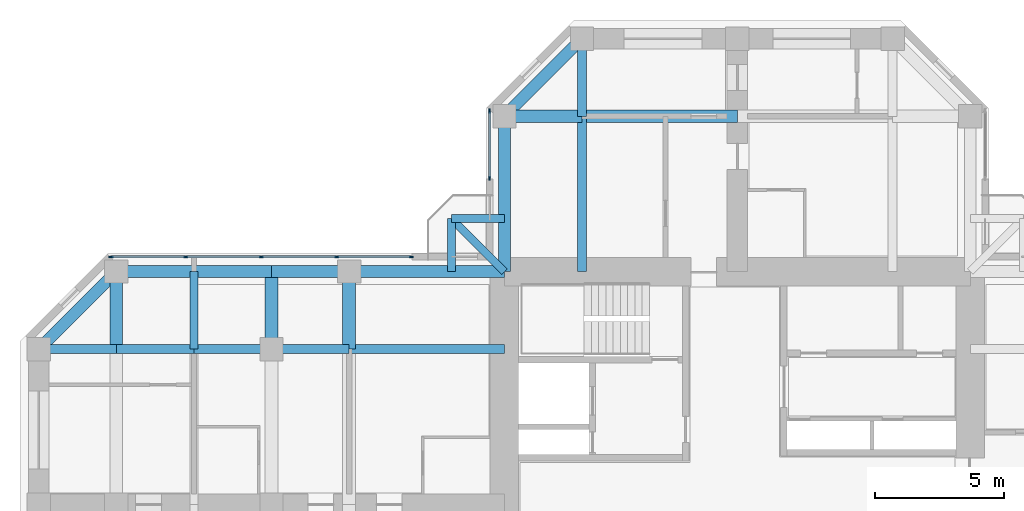
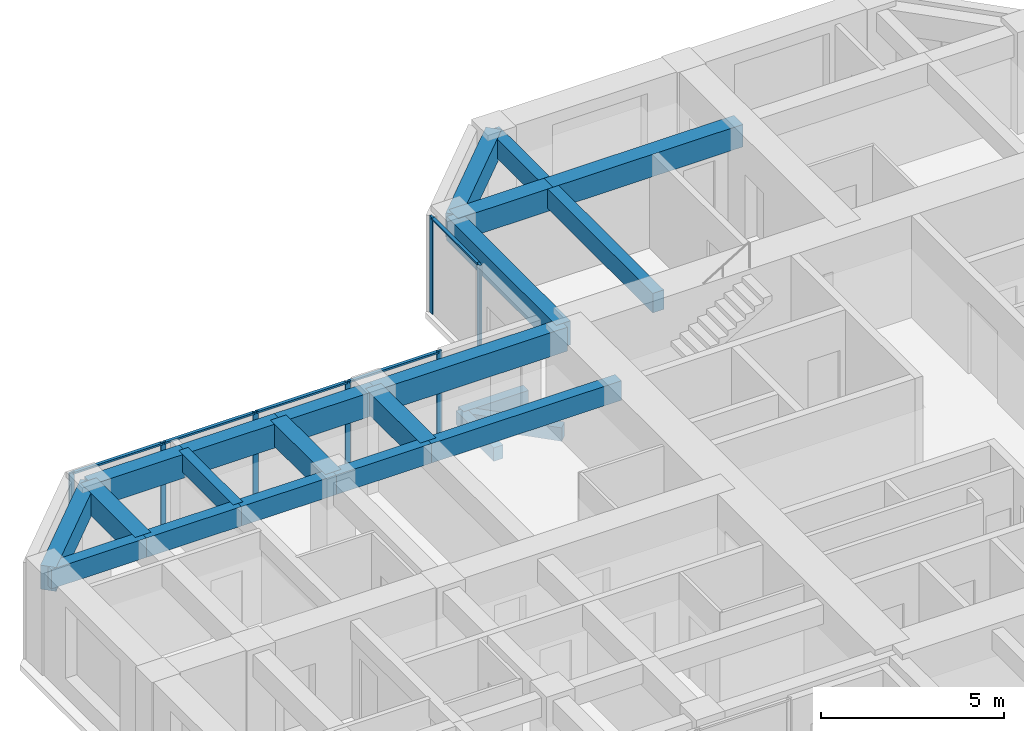
# One storey, part 5 of 13: 23 beams, 12 members, 2 elements without a shape of their own.
"""IFC4 building model written with IfcOpenShell, lengths in metres."""

from ifc_helpers import new_model, si_unit, direction, frame, origin, origin_2d, place, context, subcontext, project, spatial, rectangle, extrude, material, material_profile, profile_set, type_object, element, aggregate, save


model = new_model("IFC4")

# Units and contexts
model_context = context("Model", 3, precision=1e-05, world=origin(), true_north=direction((0.0, 1.0)))
body_context = subcontext(model_context, "Body", "Model", "MODEL_VIEW")
ifc_project = project(units=[si_unit("LENGTHUNIT", "METRE"), si_unit("AREAUNIT", "SQUARE_METRE"), si_unit("VOLUMEUNIT", "CUBIC_METRE"), si_unit("PLANEANGLEUNIT", "RADIAN"), si_unit("MASSUNIT", "GRAM", prefix="KILO")], contexts=[model_context])

# Site, building, storey
site_placement = place(None, origin())
site = spatial("IfcSite", under=ifc_project, at=site_placement, CompositionType="ELEMENT")
building_placement = place(site_placement, origin())
building = spatial("IfcBuilding", under=site, at=building_placement, Name="Torre Cruceta", CompositionType="ELEMENT")
storey_placement = place(building_placement, frame((0.0, 0.0, 189.89990234375)))
storey = spatial("IfcBuildingStorey", under=building, at=storey_placement, Name="L47", CompositionType="ELEMENT", Elevation=189.89990234375)

# Beams
ifc_material_1 = material(Name="Concrete G60 (fck 60 MPa)", Category="concrete")
ifc_material_profile_1 = material_profile(ifc_material_1, rectangle(XDim=0.300048828125, YDim=0.449951171875, at=origin_2d()), Name="RC 300X450")
ifc_profile_set_1 = profile_set([ifc_material_profile_1], Name="Concrete G60 (fck 60 MPa)")
beam_type_1 = type_object("IfcBeamType", Name="BALCONY CANTILEVER BEAM RC 300X450", PredefinedType="BEAM", material=ifc_profile_set_1)
beam_1_placement = place(storey_placement, frame((-9.0, 9.0, -0.40478515625), z_axis=(-0.707106781187, 0.707106781187, 0.0), x_axis=(-0.707106781187, -0.707106781187, 0.0)))
element("IfcBeam", 1, at=beam_1_placement, inside=storey, type_object=beam_type_1, Name="BB1 balcony beam L47 N", PredefinedType="BEAM", context=body_context, shape_type="SweptSolid", body=[
    extrude(rectangle(XDim=0.300048828125, YDim=0.449951171875, at=origin_2d()), origin(), (0.0, 0.0, 1.0), 2.89990234375),
])
for number, where, z_axis, x_axis, name in (
    (2, (-11.050537109375, 9.0, -0.40478515625), (0.0, 1.0, 0.0), (-1.0, 0.0, 0.0), "BB1 balcony edge beam L47 N-X"),
    (3, (-9.0, 11.050537109375, -0.40478515625), (-1.0, 0.0, 0.0), (0.0, -1.0, 0.0), "BB1 balcony edge beam L47 N-Y"),
):
    element("IfcBeam", number, at=place(storey_placement, frame(where, z_axis=z_axis, x_axis=x_axis)), inside=storey, type_object=beam_type_1, Name=name, PredefinedType="BEAM", context=body_context, shape_type="SweptSolid", body=[
        extrude(rectangle(XDim=0.300048828125, YDim=0.449951171875, at=origin_2d()), origin(), (0.0, 0.0, 1.0), 2.050537109375),
    ])
ifc_material_2 = material(Name="Concrete G60 (fck 60 MPa)", Category="concrete")
ifc_material_profile_2 = material_profile(ifc_material_2, rectangle(XDim=0.35009765625, YDim=0.64990234375, at=origin_2d()), Name="RC 350X650")
ifc_profile_set_2 = profile_set([ifc_material_profile_2], Name="Concrete G60 (fck 60 MPa)")
beam_type_2 = type_object("IfcBeamType", Name="COLUMN LINE BEAM RC 350X650", PredefinedType="BEAM", material=ifc_profile_set_2)
beam_2_placement = place(storey_placement, frame((-6.0, 9.0, 2.89501953125), z_axis=(0.0, 1.0, 0.0), x_axis=(-1.0, 0.0, 0.0)))
element("IfcBeam", 4, at=beam_2_placement, inside=storey, type_object=beam_type_2, Name="LB7 L47 N col+ 1", PredefinedType="BEAM", context=body_context, shape_type="SweptSolid", body=[
    extrude(rectangle(XDim=0.35009765625, YDim=0.64990234375, at=origin_2d()), origin(), (0.0, 0.0, 1.0), 6.0),
])
beam_3_placement = place(storey_placement, frame((-6.0, 15.0, 2.89501953125), z_axis=(0.0, 1.0, 0.0), x_axis=(-1.0, 0.0, 0.0)))
element("IfcBeam", 5, at=beam_3_placement, inside=storey, type_object=beam_type_2, Name="LB7 L47 N col+ 2", PredefinedType="BEAM", context=body_context, shape_type="SweptSolid", body=[
    extrude(rectangle(XDim=0.35009765625, YDim=0.64990234375, at=origin_2d()), origin(), (0.0, 0.0, 1.0), 3.0),
])
beam_4_placement = place(storey_placement, frame((-9.0, 6.0, 2.89501953125), z_axis=(-1.0, 0.0, 0.0), x_axis=(0.0, -1.0, 0.0)))
element("IfcBeam", 6, at=beam_4_placement, inside=storey, type_object=beam_type_2, Name="LB7 L47 W col- 1", PredefinedType="BEAM", context=body_context, shape_type="SweptSolid", body=[
    extrude(rectangle(XDim=0.35009765625, YDim=0.64990234375, at=origin_2d()), origin(), (0.0, 0.0, 1.0), 6.0),
])
for number, where, z_axis, x_axis, name in (
    (7, (-15.0, 6.0, 2.89501953125), (-1.0, 0.0, 0.0), (0.0, -1.0, 0.0), "LB7 L47 W col- 2"),
    (8, (-18.0, 6.0, 2.89501953125), (-1.0, 0.0, 0.0), (0.0, -1.0, 0.0), "LB7 L47 W col- 3"),
    (9, (-21.0, 6.0, 2.89501953125), (-1.0, 0.0, 0.0), (0.0, -1.0, 0.0), "LB7 L47 W col- 4"),
    (10, (-24.0, 6.0, 2.89501953125), (-1.0, 0.0, 0.0), (0.0, -1.0, 0.0), "LB7 L47 W col- 5"),
):
    element("IfcBeam", number, at=place(storey_placement, frame(where, z_axis=z_axis, x_axis=x_axis)), inside=storey, type_object=beam_type_2, Name=name, PredefinedType="BEAM", context=body_context, shape_type="SweptSolid", body=[
        extrude(rectangle(XDim=0.35009765625, YDim=0.64990234375, at=origin_2d()), origin(), (0.0, 0.0, 1.0), 3.0),
    ])
ifc_material_3 = material(Name="Concrete G60 (fck 60 MPa)", Category="concrete")
ifc_material_profile_3 = material_profile(ifc_material_3, rectangle(XDim=0.5, YDim=0.75, at=origin_2d()), Name="RC 500X750")
ifc_profile_set_3 = profile_set([ifc_material_profile_3], Name="Concrete G60 (fck 60 MPa)")
beam_type_3 = type_object("IfcBeamType", Name="CROSS BEAM RC 500X750", PredefinedType="BEAM", material=ifc_profile_set_3)
beam_5_placement = place(storey_placement, frame((0.0, 15.0, 2.84521484375), z_axis=(-1.0, 0.0, 0.0), x_axis=(0.0, -1.0, 0.0)))
element("IfcBeam", 11, at=beam_5_placement, inside=storey, type_object=beam_type_3, Name="GB6 L47 N cross15 3", PredefinedType="BEAM", context=body_context, shape_type="SweptSolid", body=[
    extrude(rectangle(XDim=0.5, YDim=0.75, at=origin_2d()), origin(), (0.0, 0.0, 1.0), 6.0),
])
for number, where, z_axis, x_axis, name in (
    (12, (-6.0, 15.0, 2.84521484375), (-1.0, 0.0, 0.0), (0.0, -1.0, 0.0), "GB6 L47 N cross15 4"),
    (13, (-15.0, 9.0, 2.84521484375), (0.0, -1.0, 0.0), (1.0, 0.0, 0.0), "GB6 L47 W cross15 1"),
    (14, (-18.0, 9.0, 2.84521484375), (0.0, -1.0, 0.0), (1.0, 0.0, 0.0), "GB6 L47 W cross18 1"),
    (15, (-24.0, 9.0, 2.84521484375), (0.0, -1.0, 0.0), (1.0, 0.0, 0.0), "GB6 L47 W cross24 1"),
):
    element("IfcBeam", number, at=place(storey_placement, frame(where, z_axis=z_axis, x_axis=x_axis)), inside=storey, type_object=beam_type_3, Name=name, PredefinedType="BEAM", context=body_context, shape_type="SweptSolid", body=[
        extrude(rectangle(XDim=0.5, YDim=0.75, at=origin_2d()), origin(), (0.0, 0.0, 1.0), 3.0),
    ])

# Curtain wall, members
ifc_material_4 = material(Name="Aluminium unitised curtain wall", Category="aluminium")
curtain_wall_type = type_object("IfcCurtainWallType", Name="CURTAIN WALL CW-C CO-LIVING", PredefinedType="USERDEFINED", material=ifc_material_4)
curtain_wall_1_placement = place(storey_placement, origin())
curtain_wall_1 = element("IfcCurtainWall", 16, at=curtain_wall_1_placement, inside=storey, type_object=curtain_wall_type, Name="CW-C L47 N side 09", ObjectType="UNITISED", PredefinedType="USERDEFINED")
ifc_material_5 = material(Name="Aluminium mullion", Category="aluminium")
ifc_material_profile_4 = material_profile(ifc_material_5, rectangle(XDim=0.06005859375, YDim=0.159912109375, at=origin_2d()), Name="AL 60X160")
ifc_profile_set_4 = profile_set([ifc_material_profile_4], Name="Aluminium mullion")
member_type_1 = type_object("IfcMemberType", Name="CW-C MULLION 60X160", PredefinedType="MULLION", material=ifc_profile_set_4)
member_1_placement = place(storey_placement, frame((-9.570068359375, 15.2060546875, 0.0), z_axis=(0.0, 0.0, 1.0), x_axis=(1.0, 0.0, 0.0)))
member_1 = element("IfcMember", 17, at=member_1_placement, type_object=member_type_1, Name="CW-C mullion 1", PredefinedType="MULLION", context=body_context, shape_type="SweptSolid", body=[
    extrude(rectangle(XDim=0.06005859375, YDim=0.159912109375, at=origin_2d()), origin(), (0.0, 0.0, 1.0), 3.22021484375),
])
member_2_placement = place(storey_placement, frame((-9.570068359375, 12.60009765625, 0.0), z_axis=(0.0, 0.0, 1.0), x_axis=(1.0, 0.0, 0.0)))
member_2 = element("IfcMember", 18, at=member_2_placement, type_object=member_type_1, Name="CW-C mullion 2", PredefinedType="MULLION", context=body_context, shape_type="SweptSolid", body=[
    extrude(rectangle(XDim=0.06005859375, YDim=0.159912109375, at=origin_2d()), origin(), (0.0, 0.0, 1.0), 3.22021484375),
])

curtain_wall_2_placement = place(storey_placement, origin())
curtain_wall_2 = element("IfcCurtainWall", 19, at=curtain_wall_2_placement, inside=storey, type_object=curtain_wall_type, Name="CW-C L47 W side 10", ObjectType="UNITISED", PredefinedType="USERDEFINED")
member_3_placement = place(storey_placement, frame((-12.60009765625, 9.570068359375, 0.0), z_axis=(0.0, 0.0, 1.0), x_axis=(0.0, -1.0, 0.0)))
member_3 = element("IfcMember", 20, at=member_3_placement, type_object=member_type_1, Name="CW-C mullion 1", PredefinedType="MULLION", context=body_context, shape_type="SweptSolid", body=[
    extrude(rectangle(XDim=0.06005859375, YDim=0.159912109375, at=origin_2d()), origin(), (0.0, 0.0, 1.0), 3.22021484375),
])
member_4_placement = place(storey_placement, frame((-15.486572265625, 9.570068359375, 0.0), z_axis=(0.0, 0.0, 1.0), x_axis=(0.0, -1.0, 0.0)))
member_4 = element("IfcMember", 21, at=member_4_placement, type_object=member_type_1, Name="CW-C mullion 2", PredefinedType="MULLION", context=body_context, shape_type="SweptSolid", body=[
    extrude(rectangle(XDim=0.06005859375, YDim=0.159912109375, at=origin_2d()), origin(), (0.0, 0.0, 1.0), 3.22021484375),
])
member_5_placement = place(storey_placement, frame((-18.403076171875, 9.570068359375, 0.0), z_axis=(0.0, 0.0, 1.0), x_axis=(0.0, -1.0, 0.0)))
member_5 = element("IfcMember", 22, at=member_5_placement, type_object=member_type_1, Name="CW-C mullion 3", PredefinedType="MULLION", context=body_context, shape_type="SweptSolid", body=[
    extrude(rectangle(XDim=0.06005859375, YDim=0.159912109375, at=origin_2d()), origin(), (0.0, 0.0, 1.0), 3.22021484375),
])
member_6_placement = place(storey_placement, frame((-21.319580078125, 9.570068359375, 0.0), z_axis=(0.0, 0.0, 1.0), x_axis=(0.0, -1.0, 0.0)))
member_6 = element("IfcMember", 23, at=member_6_placement, type_object=member_type_1, Name="CW-C mullion 4", PredefinedType="MULLION", context=body_context, shape_type="SweptSolid", body=[
    extrude(rectangle(XDim=0.06005859375, YDim=0.159912109375, at=origin_2d()), origin(), (0.0, 0.0, 1.0), 3.22021484375),
])
member_7_placement = place(storey_placement, frame((-24.2060546875, 9.570068359375, 0.0), z_axis=(0.0, 0.0, 1.0), x_axis=(0.0, -1.0, 0.0)))
member_7 = element("IfcMember", 24, at=member_7_placement, type_object=member_type_1, Name="CW-C mullion 5", PredefinedType="MULLION", context=body_context, shape_type="SweptSolid", body=[
    extrude(rectangle(XDim=0.06005859375, YDim=0.159912109375, at=origin_2d()), origin(), (0.0, 0.0, 1.0), 3.22021484375),
])

# Member
ifc_material_6 = material(Name="Aluminium transom", Category="aluminium")
ifc_material_profile_5 = material_profile(ifc_material_6, rectangle(XDim=0.10009765625, YDim=0.06005859375, at=origin_2d()), Name="AL 100X60")
ifc_profile_set_5 = profile_set([ifc_material_profile_5], Name="Aluminium transom")
member_type_2 = type_object("IfcMemberType", Name="CW-C TRANSOM 60X100", PredefinedType="USERDEFINED", material=ifc_profile_set_5)
member_8_placement = place(storey_placement, frame((-9.570068359375, 15.176025390625, 3.190185546875), z_axis=(0.0, -1.0, 0.0), x_axis=(1.0, 0.0, 0.0)))
member_8 = element("IfcMember", 25, at=member_8_placement, type_object=member_type_2, Name="CW-C transom 1", ObjectType="TRANSOM", PredefinedType="USERDEFINED", context=body_context, shape_type="SweptSolid", body=[
    extrude(rectangle(XDim=0.10009765625, YDim=0.06005859375, at=origin_2d()), origin(), (0.0, 0.0, 1.0), 2.546142578125),
])

aggregate(curtain_wall_1, [member_1, member_2, member_8])

member_9_placement = place(storey_placement, frame((-12.6298828125, 9.570068359375, 3.190185546875), z_axis=(-1.0, 0.0, 0.0), x_axis=(0.0, -1.0, 0.0)))
member_9 = element("IfcMember", 26, at=member_9_placement, type_object=member_type_2, Name="CW-C transom 1", ObjectType="TRANSOM", PredefinedType="USERDEFINED", context=body_context, shape_type="SweptSolid", body=[
    extrude(rectangle(XDim=0.10009765625, YDim=0.06005859375, at=origin_2d()), origin(), (0.0, 0.0, 1.0), 2.82666015625),
])

member_10_placement = place(storey_placement, frame((-15.5166015625, 9.570068359375, 3.190185546875), z_axis=(-1.0, 0.0, 0.0), x_axis=(0.0, -1.0, 0.0)))
member_10 = element("IfcMember", 27, at=member_10_placement, type_object=member_type_2, Name="CW-C transom 2", ObjectType="TRANSOM", PredefinedType="USERDEFINED", context=body_context, shape_type="SweptSolid", body=[
    extrude(rectangle(XDim=0.10009765625, YDim=0.06005859375, at=origin_2d()), origin(), (0.0, 0.0, 1.0), 2.8564453125),
])

member_11_placement = place(storey_placement, frame((-18.43310546875, 9.570068359375, 3.190185546875), z_axis=(-1.0, 0.0, 0.0), x_axis=(0.0, -1.0, 0.0)))
member_11 = element("IfcMember", 28, at=member_11_placement, type_object=member_type_2, Name="CW-C transom 3", ObjectType="TRANSOM", PredefinedType="USERDEFINED", context=body_context, shape_type="SweptSolid", body=[
    extrude(rectangle(XDim=0.10009765625, YDim=0.06005859375, at=origin_2d()), origin(), (0.0, 0.0, 1.0), 2.8564453125),
])

member_12_placement = place(storey_placement, frame((-21.349609375, 9.570068359375, 3.190185546875), z_axis=(-1.0, 0.0, 0.0), x_axis=(0.0, -1.0, 0.0)))
member_12 = element("IfcMember", 29, at=member_12_placement, type_object=member_type_2, Name="CW-C transom 4", ObjectType="TRANSOM", PredefinedType="USERDEFINED", context=body_context, shape_type="SweptSolid", body=[
    extrude(rectangle(XDim=0.10009765625, YDim=0.06005859375, at=origin_2d()), origin(), (0.0, 0.0, 1.0), 2.826416015625),
])

aggregate(curtain_wall_2, [member_3, member_4, member_5, member_6, member_7, member_9, member_10, member_11, member_12])

# Beams
ifc_material_7 = material(Name="Concrete G60 (fck 60 MPa)", Category="concrete")
ifc_material_profile_6 = material_profile(ifc_material_7, rectangle(XDim=0.300048828125, YDim=0.60009765625, at=origin_2d()), Name="RC 300X600")
ifc_profile_set_6 = profile_set([ifc_material_profile_6], Name="Concrete G60 (fck 60 MPa)")
beam_type_4 = type_object("IfcBeamType", Name="SECONDARY BEAM RC 300X600", PredefinedType="JOIST", material=ifc_profile_set_6)
beam_6_placement = place(storey_placement, frame((-21.0, 9.0, 2.920166015625), z_axis=(0.0, -1.0, 0.0), x_axis=(1.0, 0.0, 0.0)))
element("IfcBeam", 30, at=beam_6_placement, inside=storey, type_object=beam_type_4, Name="JB6 L47 W sec21 1", PredefinedType="JOIST", context=body_context, shape_type="SweptSolid", body=[
    extrude(rectangle(XDim=0.300048828125, YDim=0.60009765625, at=origin_2d()), origin(), (0.0, 0.0, 1.0), 3.0),
])
ifc_material_8 = material(Name="Concrete G60 (fck 60 MPa)", Category="concrete")
ifc_material_profile_7 = material_profile(ifc_material_8, rectangle(XDim=0.449951171875, YDim=0.800048828125, at=origin_2d()), Name="RC 450X800")
ifc_profile_set_7 = profile_set([ifc_material_profile_7], Name="Concrete G60 (fck 60 MPa)")
beam_type_5 = type_object("IfcBeamType", Name="SPANDREL BEAM RC 450X800", PredefinedType="SPANDREL", material=ifc_profile_set_7)
beam_7_placement = place(storey_placement, frame((-9.0, 9.0, 2.820068359375), z_axis=(0.0, 1.0, 0.0), x_axis=(-1.0, 0.0, 0.0)))
element("IfcBeam", 31, at=beam_7_placement, inside=storey, type_object=beam_type_5, Name="SB6 L47 N side+ 1", PredefinedType="SPANDREL", context=body_context, shape_type="SweptSolid", body=[
    extrude(rectangle(XDim=0.449951171875, YDim=0.800048828125, at=origin_2d()), origin(), (0.0, 0.0, 1.0), 6.0),
])
beam_8_placement = place(storey_placement, frame((-9.0, 15.0, 2.820068359375), z_axis=(0.707106781187, 0.707106781187, 0.0), x_axis=(-0.707106781187, 0.707106781187, 0.0)))
element("IfcBeam", 32, at=beam_8_placement, inside=storey, type_object=beam_type_5, Name="SB6 L47 N side+ 2", PredefinedType="SPANDREL", context=body_context, shape_type="SweptSolid", body=[
    extrude(rectangle(XDim=0.449951171875, YDim=0.800048828125, at=origin_2d()), origin(), (0.0, 0.0, 1.0), 4.24267578125),
])
beam_9_placement = place(storey_placement, frame((-9.0, 9.0, 2.820068359375), z_axis=(-1.0, 0.0, 0.0), x_axis=(0.0, -1.0, 0.0)))
element("IfcBeam", 33, at=beam_9_placement, inside=storey, type_object=beam_type_5, Name="SB6 L47 W side- 1", PredefinedType="SPANDREL", context=body_context, shape_type="SweptSolid", body=[
    extrude(rectangle(XDim=0.449951171875, YDim=0.800048828125, at=origin_2d()), origin(), (0.0, 0.0, 1.0), 6.0),
])
for number, where, z_axis, x_axis, name in (
    (34, (-15.0, 9.0, 2.820068359375), (-1.0, 0.0, 0.0), (0.0, -1.0, 0.0), "SB6 L47 W side- 2"),
    (35, (-18.0, 9.0, 2.820068359375), (-1.0, 0.0, 0.0), (0.0, -1.0, 0.0), "SB6 L47 W side- 3"),
    (36, (-21.0, 9.0, 2.820068359375), (-1.0, 0.0, 0.0), (0.0, -1.0, 0.0), "SB6 L47 W side- 4"),
):
    element("IfcBeam", number, at=place(storey_placement, frame(where, z_axis=z_axis, x_axis=x_axis)), inside=storey, type_object=beam_type_5, Name=name, PredefinedType="SPANDREL", context=body_context, shape_type="SweptSolid", body=[
        extrude(rectangle(XDim=0.449951171875, YDim=0.800048828125, at=origin_2d()), origin(), (0.0, 0.0, 1.0), 3.0),
    ])
beam_10_placement = place(storey_placement, frame((-24.0, 9.0, 2.820068359375), z_axis=(-0.707106781187, -0.707106781187, 0.0), x_axis=(0.707106781187, -0.707106781187, 0.0)))
element("IfcBeam", 37, at=beam_10_placement, inside=storey, type_object=beam_type_5, Name="SB6 L47 W side- 5", PredefinedType="SPANDREL", context=body_context, shape_type="SweptSolid", body=[
    extrude(rectangle(XDim=0.449951171875, YDim=0.800048828125, at=origin_2d()), origin(), (0.0, 0.0, 1.0), 4.24267578125),
])

save(model, "model.ifc")
